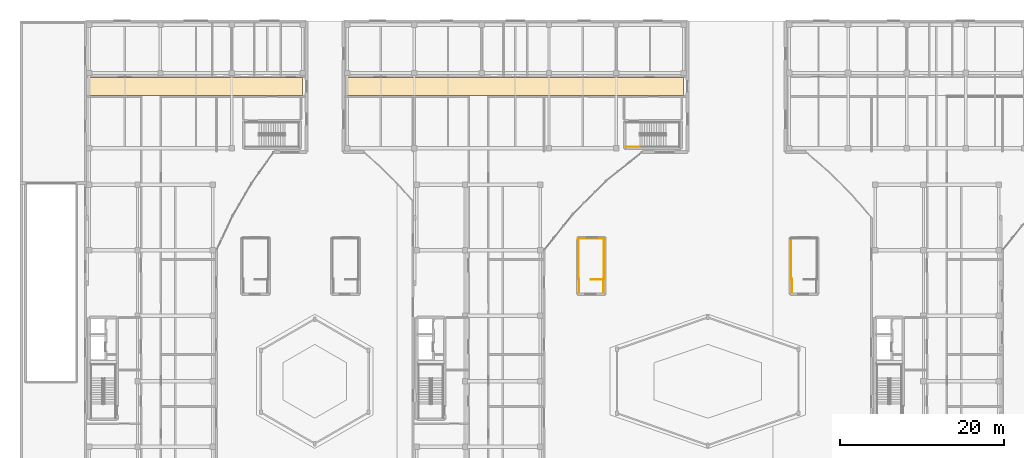
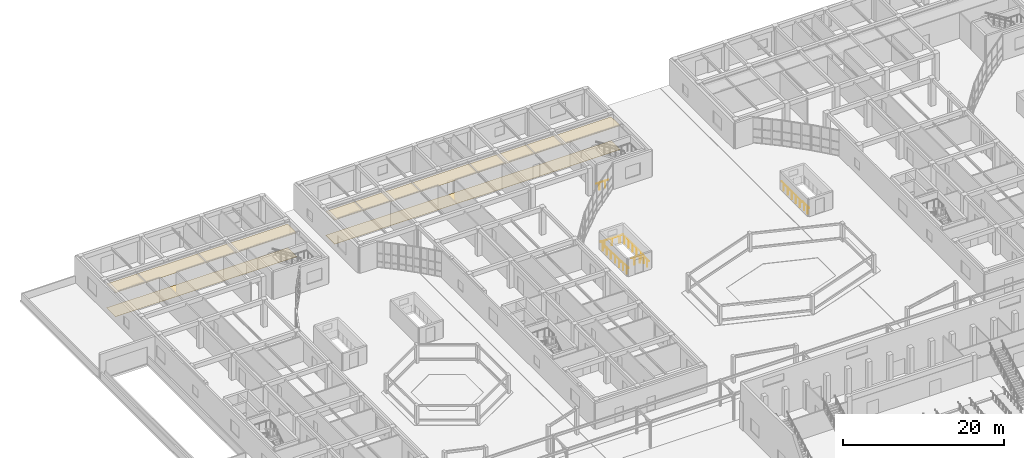
# One storey, part 102 of 114: 9 railings, 4 coverings.
"""IFC4 building model written with IfcOpenShell, lengths in metres."""

from ifc_helpers import new_model, si_unit, direction, frame, origin, origin_2d, place, context, subcontext, project, spatial, polyline, circle, outline, extrude, material, layer, layer_set, type_object, element, save


model = new_model("IFC4")

# Units and contexts
model_context = context("Model", 3, precision=1e-05, world=origin(), true_north=direction((0.0, 1.0)))
body_context = subcontext(model_context, "Body", "Model", "MODEL_VIEW")
ifc_project = project(units=[si_unit("LENGTHUNIT", "METRE"), si_unit("AREAUNIT", "SQUARE_METRE"), si_unit("VOLUMEUNIT", "CUBIC_METRE"), si_unit("PLANEANGLEUNIT", "RADIAN"), si_unit("MASSUNIT", "GRAM", prefix="KILO")], contexts=[model_context])

# Site, building, storey
site_placement = place(None, origin())
site = spatial("IfcSite", under=ifc_project, at=site_placement, CompositionType="ELEMENT")
building_placement = place(site_placement, origin())
building = spatial("IfcBuilding", under=site, at=building_placement, Name="Keldmere Railside Commons", CompositionType="ELEMENT")
storey_placement = place(building_placement, origin())
storey = spatial("IfcBuildingStorey", under=building, at=storey_placement, Name="L00", CompositionType="ELEMENT", Elevation=0.0)

# Coverings
ifc_material_1 = material(Name="Polished Terrazzo Tile Flooring", Category="concrete")
ifc_layer_1 = layer(ifc_material_1, 0.030029296875, Name="Polished Terrazzo Floor Finish 30")
ifc_layer_set_1 = layer_set([ifc_layer_1], Name="Polished Terrazzo Tile Flooring")
covering_type_1 = type_object("IfcCoveringType", Name="Polished Terrazzo Floor Finish 30", PredefinedType="FLOORING", material=ifc_layer_set_1)
covering_1_placement = place(storey_placement, origin())
element("IfcCovering", 1, at=covering_1_placement, inside=storey, type_object=covering_type_1, Name="FLR-1 Corridor Terrazzo D-L00", PredefinedType="FLOORING", context=body_context, shape_type="SweptSolid", body=[
    extrude(outline(polyline([(8.47998046875, 106.8798828125), (34.52001953125, 106.8798828125), (34.52001953125, 109.1201171875), (8.47998046875, 109.1201171875), (8.47998046875, 106.8798828125)])), origin(), (0.0, 0.0, 1.0), 0.030029296875),
])
covering_2_placement = place(storey_placement, origin())
element("IfcCovering", 2, at=covering_2_placement, inside=storey, type_object=covering_type_1, Name="FLR-1 Corridor Terrazzo C-L00", PredefinedType="FLOORING", context=body_context, shape_type="SweptSolid", body=[
    extrude(outline(polyline([(39.97998046875, 106.8798828125), (81.02001953125, 106.8798828125), (81.02001953125, 109.1201171875), (39.97998046875, 109.1201171875), (39.97998046875, 106.8798828125)])), origin(), (0.0, 0.0, 1.0), 0.030029296875),
])

# Railings
ifc_material_2 = material(Name="Steel F-24 (S235)", Category="steel")
railing_type = type_object("IfcRailingType", Name="Stair Well Steel Guardrail 1100", PredefinedType="BALUSTRADE", material=ifc_material_2)
railing_1_placement = place(storey_placement, frame((74.0, 100.64990234375, 0.0)))
element("IfcRailing", 3, at=railing_1_placement, inside=storey, type_object=railing_type, Name="L00 ST-C2 stair guard 8", PredefinedType="BALUSTRADE", context=body_context, shape_type="SweptSolid", body=[
    extrude(circle(Radius=0.02392578125, at=origin_2d()), frame((0.0, 0.0, 1.076171875), z_axis=(1.0, 0.0, 0.0), x_axis=(0.0, 1.0, 0.0)), (0.0, 0.0, 1.0), 1.699951171875),
    extrude(circle(Radius=0.02099609375, at=origin_2d()), frame((0.425048828125, 0.0, 0.0)), (0.0, 0.0, 1.0), 1.048095703125),
    extrude(circle(Radius=0.02099609375, at=origin_2d()), frame((1.27490234375, 0.0, 0.0)), (0.0, 0.0, 1.0), 1.048095703125),
])
railing_2_placement = place(storey_placement, frame((71.300048828125, 84.449951171875, 0.0)))
element("IfcRailing", 4, at=railing_2_placement, inside=storey, type_object=railing_type, Name="L00 ST-B3 top well guard 1", PredefinedType="BALUSTRADE", context=body_context, shape_type="SweptSolid", body=[
    extrude(circle(Radius=0.02392578125, at=origin_2d()), frame((0.0, 0.0, 1.076171875), z_axis=(-1.0, 0.0, 0.0), x_axis=(0.0, -1.0, 0.0)), (0.0, 0.0, 1.0), 1.60009765625),
    extrude(circle(Radius=0.02099609375, at=origin_2d()), frame((-0.39990234375, 0.0, 0.0)), (0.0, 0.0, 1.0), 1.048095703125),
    extrude(circle(Radius=0.02099609375, at=origin_2d()), frame((-1.2001953125, 0.0, 0.0)), (0.0, 0.0, 1.0), 1.048095703125),
])
for number, where, name in (
    (5, (71.35009765625, 84.39990234375, 0.0), "L00 ST-B3 top well guard 2"),
    (6, (68.199951171875, 84.39990234375, 0.0), "L00 ST-B3 top well guard 3"),
):
    element("IfcRailing", number, at=place(storey_placement, frame(where)), inside=storey, type_object=railing_type, Name=name, PredefinedType="BALUSTRADE", context=body_context, shape_type="SweptSolid", body=[
        extrude(circle(Radius=0.02392578125, at=origin_2d()), frame((0.0, 0.0, 1.076171875), z_axis=(0.0, 1.0, 0.0), x_axis=(-1.0, 0.0, 0.0)), (0.0, 0.0, 1.0), 5.10009765625),
        extrude(circle(Radius=0.02099609375, at=origin_2d()), frame((0.0, 0.510009765625, 0.0)), (0.0, 0.0, 1.0), 1.048095703125),
        extrude(circle(Radius=0.02099609375, at=origin_2d()), frame((0.0, 1.530029296875, 0.0)), (0.0, 0.0, 1.0), 1.048095703125),
        extrude(circle(Radius=0.02099609375, at=origin_2d()), frame((0.0, 2.550048828125, 0.0)), (0.0, 0.0, 1.0), 1.048095703125),
        extrude(circle(Radius=0.02099609375, at=origin_2d()), frame((0.0, 3.570068359375, 0.0)), (0.0, 0.0, 1.0), 1.048095703125),
        extrude(circle(Radius=0.02099609375, at=origin_2d()), frame((0.0, 4.590087890625, 0.0)), (0.0, 0.0, 1.0), 1.048095703125),
    ])
railing_3_placement = place(storey_placement, frame((71.39990234375, 89.449951171875, 0.0)))
element("IfcRailing", 7, at=railing_3_placement, inside=storey, type_object=railing_type, Name="L00 ST-B3 top well guard 4", PredefinedType="BALUSTRADE", context=body_context, shape_type="SweptSolid", body=[
    extrude(circle(Radius=0.02392578125, at=origin_2d()), frame((0.0, 0.0, 1.076171875), z_axis=(-1.0, 0.0, 0.0), x_axis=(0.0, -1.0, 0.0)), (0.0, 0.0, 1.0), 3.25),
    extrude(circle(Radius=0.02099609375, at=origin_2d()), frame((-0.541748046875, 0.0, 0.0)), (0.0, 0.0, 1.0), 1.048095703125),
    extrude(circle(Radius=0.02099609375, at=origin_2d()), frame((-1.625, 0.0, 0.0)), (0.0, 0.0, 1.0), 1.048095703125),
    extrude(circle(Radius=0.02099609375, at=origin_2d()), frame((-2.708251953125, 0.0, 0.0)), (0.0, 0.0, 1.0), 1.048095703125),
])
for number, where, name in (
    (8, (71.25, 82.800048828125, 0.0), "L00 ST-B3 top well guard 5"),
    (9, (68.300048828125, 82.800048828125, 0.0), "L00 ST-B3 top well guard 6"),
):
    element("IfcRailing", number, at=place(storey_placement, frame(where)), inside=storey, type_object=railing_type, Name=name, PredefinedType="BALUSTRADE", context=body_context, shape_type="SweptSolid", body=[
        extrude(circle(Radius=0.02392578125, at=origin_2d()), frame((0.0, 0.0, 1.076171875), z_axis=(0.0, 1.0, 0.0), x_axis=(-1.0, 0.0, 0.0)), (0.0, 0.0, 1.0), 1.699951171875),
        extrude(circle(Radius=0.02099609375, at=origin_2d()), frame((0.0, 0.425048828125, 0.0)), (0.0, 0.0, 1.0), 1.048095703125),
        extrude(circle(Radius=0.02099609375, at=origin_2d()), frame((0.0, 1.27490234375, 0.0)), (0.0, 0.0, 1.0), 1.048095703125),
    ])
railing_4_placement = place(storey_placement, frame((94.199951171875, 84.39990234375, 0.0)))
element("IfcRailing", 10, at=railing_4_placement, inside=storey, type_object=railing_type, Name="L00 ST-B4 top well guard 3", PredefinedType="BALUSTRADE", context=body_context, shape_type="SweptSolid", body=[
    extrude(circle(Radius=0.02392578125, at=origin_2d()), frame((0.0, 0.0, 1.076171875), z_axis=(0.0, 1.0, 0.0), x_axis=(-1.0, 0.0, 0.0)), (0.0, 0.0, 1.0), 5.10009765625),
    extrude(circle(Radius=0.02099609375, at=origin_2d()), frame((0.0, 0.510009765625, 0.0)), (0.0, 0.0, 1.0), 1.048095703125),
    extrude(circle(Radius=0.02099609375, at=origin_2d()), frame((0.0, 1.530029296875, 0.0)), (0.0, 0.0, 1.0), 1.048095703125),
    extrude(circle(Radius=0.02099609375, at=origin_2d()), frame((0.0, 2.550048828125, 0.0)), (0.0, 0.0, 1.0), 1.048095703125),
    extrude(circle(Radius=0.02099609375, at=origin_2d()), frame((0.0, 3.570068359375, 0.0)), (0.0, 0.0, 1.0), 1.048095703125),
    extrude(circle(Radius=0.02099609375, at=origin_2d()), frame((0.0, 4.590087890625, 0.0)), (0.0, 0.0, 1.0), 1.048095703125),
])
railing_5_placement = place(storey_placement, frame((94.300048828125, 82.800048828125, 0.0)))
element("IfcRailing", 11, at=railing_5_placement, inside=storey, type_object=railing_type, Name="L00 ST-B4 top well guard 6", PredefinedType="BALUSTRADE", context=body_context, shape_type="SweptSolid", body=[
    extrude(circle(Radius=0.02392578125, at=origin_2d()), frame((0.0, 0.0, 1.076171875), z_axis=(0.0, 1.0, 0.0), x_axis=(-1.0, 0.0, 0.0)), (0.0, 0.0, 1.0), 1.699951171875),
    extrude(circle(Radius=0.02099609375, at=origin_2d()), frame((0.0, 0.425048828125, 0.0)), (0.0, 0.0, 1.0), 1.048095703125),
    extrude(circle(Radius=0.02099609375, at=origin_2d()), frame((0.0, 1.27490234375, 0.0)), (0.0, 0.0, 1.0), 1.048095703125),
])

# Coverings
ifc_material_3 = material(Name="Acoustic Mineral-Fibre Gypsum Ceiling", Category="gypsum")
ifc_layer_2 = layer(ifc_material_3, 0.02490234375, Name="Suspended Acoustic Ceiling 25")
ifc_layer_set_2 = layer_set([ifc_layer_2], Name="Acoustic Mineral-Fibre Gypsum Ceiling")
covering_type_2 = type_object("IfcCoveringType", Name="Suspended Acoustic Ceiling 25", PredefinedType="CEILING", material=ifc_layer_set_2)
covering_3_placement = place(storey_placement, frame((0.0, 0.0, 3.635009765625)))
element("IfcCovering", 12, at=covering_3_placement, inside=storey, type_object=covering_type_2, Name="CLG-1 Corridor Ceiling D-L00", PredefinedType="CEILING", context=body_context, shape_type="SweptSolid", body=[
    extrude(outline(polyline([(8.47998046875, 106.8798828125), (34.52001953125, 106.8798828125), (34.52001953125, 109.1201171875), (8.47998046875, 109.1201171875), (8.47998046875, 106.8798828125)])), origin(), (0.0, 0.0, 1.0), 0.02490234375),
])
covering_4_placement = place(storey_placement, frame((0.0, 0.0, 3.635009765625)))
element("IfcCovering", 13, at=covering_4_placement, inside=storey, type_object=covering_type_2, Name="CLG-1 Corridor Ceiling C-L00", PredefinedType="CEILING", context=body_context, shape_type="SweptSolid", body=[
    extrude(outline(polyline([(39.97998046875, 106.8798828125), (81.02001953125, 106.8798828125), (81.02001953125, 109.1201171875), (39.97998046875, 109.1201171875), (39.97998046875, 106.8798828125)])), origin(), (0.0, 0.0, 1.0), 0.02490234375),
])

save(model, "model.ifc")
